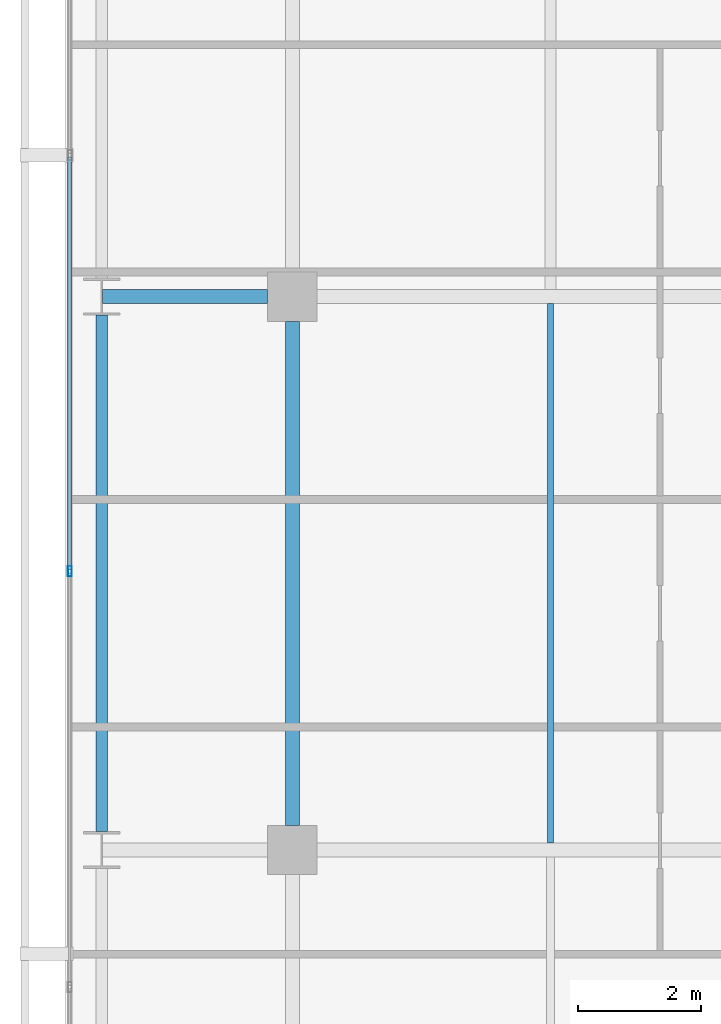
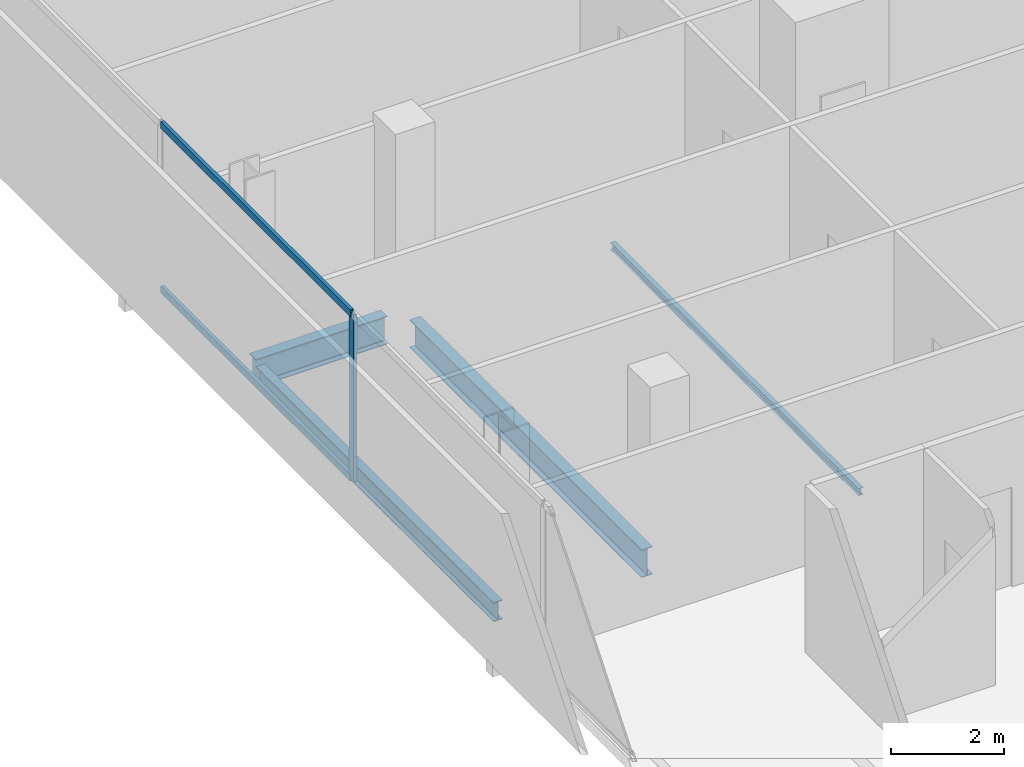
# One storey, part 8 of 34: 4 beams, 3 members, 1 element without a shape of its own.
"""IFC4 building model written with IfcOpenShell, lengths in metres."""

from ifc_helpers import new_model, si_unit, direction, frame, origin, origin_2d, place, context, subcontext, project, spatial, hollow_rectangle, i_section, extrude, material, layer, layer_set, material_profile, profile_set, type_object, element, aggregate, save


model = new_model("IFC4")

# Units and contexts
model_context = context("Model", 3, precision=1e-05, world=origin(), true_north=direction((0.0, 1.0)))
body_context = subcontext(model_context, "Body", "Model", "MODEL_VIEW")
ifc_project = project(units=[si_unit("LENGTHUNIT", "METRE"), si_unit("AREAUNIT", "SQUARE_METRE"), si_unit("VOLUMEUNIT", "CUBIC_METRE"), si_unit("PLANEANGLEUNIT", "RADIAN"), si_unit("MASSUNIT", "GRAM", prefix="KILO")], contexts=[model_context])

# Site, building, storey
site_placement = place(None, origin())
site = spatial("IfcSite", under=ifc_project, at=site_placement, CompositionType="ELEMENT")
building_placement = place(site_placement, origin())
building = spatial("IfcBuilding", under=site, at=building_placement, Name="Maruvema Waterfront Hotel and Observation Tower", CompositionType="ELEMENT")
storey_placement = place(building_placement, frame((0.0, 0.0, 192.85009765625)))
storey = spatial("IfcBuildingStorey", under=building, at=storey_placement, Name="L47", CompositionType="ELEMENT", Elevation=192.85009765625)

# Curtain wall, members
ifc_material_1 = material(Name="Anodised bronze aluminium and solar-control low-E IGU", Category="aluminium")
ifc_layer = layer(ifc_material_1, 0.159912109375, Name="Zone 2 Amber Inner Thermal Curtain Wall System CW-03")
ifc_layer_set = layer_set([ifc_layer], Name="Anodised bronze aluminium and solar-control low-E IGU")
curtain_wall_type = type_object("IfcCurtainWallType", Name="Zone 2 Amber Inner Thermal Curtain Wall System CW-03", PredefinedType="USERDEFINED", material=ifc_layer_set)
curtain_wall_placement = place(storey_placement, origin())
curtain_wall = element("IfcCurtainWall", 1, at=curtain_wall_placement, inside=storey, type_object=curtain_wall_type, Name="L47 Curtain Wall CW-L47-W", ObjectType="UNITISED CURTAIN WALL", PredefinedType="USERDEFINED")
ifc_material_2 = material(Name="Anodised architectural bronze aluminium", Category="aluminium")
ifc_material_profile_1 = material_profile(ifc_material_2, hollow_rectangle(XDim=0.070068359375, YDim=0.14990234375, WallThickness=0.00390625, at=origin_2d()), Name="ALU-T70x150")
ifc_profile_set_1 = profile_set([ifc_material_profile_1], Name="Anodised architectural bronze aluminium")
member_type_1 = type_object("IfcMemberType", Name="Curtain Wall Horizontal Transom ALU-T70x150", PredefinedType="USERDEFINED", material=ifc_profile_set_1)
member_1_placement = place(storey_placement, frame((13.179931640625, 29.27001953125, 0.02978515625), z_axis=(0.0, -1.0, 0.0), x_axis=(1.0, 0.0, 0.0)))
member_1 = element("IfcMember", 2, at=member_1_placement, type_object=member_type_1, Name="CW-03 transom 4.1", ObjectType="TRANSOM", PredefinedType="USERDEFINED", context=body_context, shape_type="SweptSolid", body=[
    extrude(hollow_rectangle(XDim=0.070068359375, YDim=0.14990234375, WallThickness=0.00390625, at=origin_2d()), origin(), (0.0, 0.0, 1.0), 6.706787109375),
])
member_2_placement = place(storey_placement, frame((13.179931640625, 29.27001953125, 3.579833984375), z_axis=(0.0, -1.0, 0.0), x_axis=(1.0, 0.0, 0.0)))
member_2 = element("IfcMember", 3, at=member_2_placement, type_object=member_type_1, Name="CW-03 transom 4.2", ObjectType="TRANSOM", PredefinedType="USERDEFINED", context=body_context, shape_type="SweptSolid", body=[
    extrude(hollow_rectangle(XDim=0.070068359375, YDim=0.14990234375, WallThickness=0.00390625, at=origin_2d()), origin(), (0.0, 0.0, 1.0), 6.706787109375),
])
ifc_material_3 = material(Name="Anodised architectural bronze aluminium", Category="aluminium")
ifc_material_profile_2 = material_profile(ifc_material_3, hollow_rectangle(XDim=0.06494140625, YDim=0.1650390625, WallThickness=0.00390625, at=origin_2d()), Name="ALU-M65x165")
ifc_profile_set_2 = profile_set([ifc_material_profile_2], Name="Anodised architectural bronze aluminium")
member_type_2 = type_object("IfcMemberType", Name="Curtain Wall Primary Mullion ALU-M65x165", PredefinedType="MULLION", material=ifc_profile_set_2)
member_3_placement = place(storey_placement, frame((13.179931640625, 22.533447265625, 0.0), z_axis=(0.0, 0.0, 1.0), x_axis=(1.0, 0.0, 0.0)))
member_3 = element("IfcMember", 4, at=member_3_placement, type_object=member_type_2, Name="CW-03 mullion 5", PredefinedType="MULLION", context=body_context, shape_type="SweptSolid", body=[
    extrude(hollow_rectangle(XDim=0.06494140625, YDim=0.1650390625, WallThickness=0.00390625, at=origin_2d()), origin(), (0.0, 0.0, 1.0), 3.60986328125),
])
aggregate(curtain_wall, [member_3, member_1, member_2])

# Beams
ifc_material_4 = material(Name="Steel ASTM A572 Grade 50", Category="steel")
ifc_material_profile_3 = material_profile(ifc_material_4, i_section(OverallWidth=0.180908203125, OverallDepth=0.4169921875, WebThickness=0.010986328125, FlangeThickness=0.018310546875, FilletRadius=0.014892578125, at=origin_2d()), Name="W410x85.0")
ifc_profile_set_3 = profile_set([ifc_material_profile_3], Name="Steel ASTM A572 Grade 50")
beam_type_1 = type_object("IfcBeamType", Name="Perimeter Spandrel Beam W410x85.0", PredefinedType="SPANDREL", material=ifc_profile_set_3)
beam_1_placement = place(storey_placement, frame((13.699951171875, 18.300048828125, -0.448486328125), z_axis=(0.0, 1.0, 0.0), x_axis=(-1.0, 0.0, 0.0)))
element("IfcBeam", 5, at=beam_1_placement, inside=storey, type_object=beam_type_1, Name="L47 Floor Girder NS-02", PredefinedType="SPANDREL", context=body_context, shape_type="SweptSolid", body=[
    extrude(i_section(OverallWidth=0.180908203125, OverallDepth=0.4169921875, WebThickness=0.010986328125, FlangeThickness=0.018310546875, FilletRadius=0.014892578125, at=origin_2d()), origin(), (0.0, 0.0, 1.0), 8.39990234375),
])
ifc_material_5 = material(Name="Steel ASTM A572 Grade 50", Category="steel")
ifc_material_profile_4 = material_profile(ifc_material_5, i_section(OverallWidth=0.22802734375, OverallDepth=0.60302734375, WebThickness=0.010498046875, FlangeThickness=0.014892578125, FilletRadius=0.01806640625, at=origin_2d()), Name="W610x101.0")
ifc_profile_set_4 = profile_set([ifc_material_profile_4], Name="Steel ASTM A572 Grade 50")
beam_type_2 = type_object("IfcBeamType", Name="Primary Floor Girder W610x101.0", PredefinedType="BEAM", material=ifc_profile_set_4)
beam_2_placement = place(storey_placement, frame((13.71240234375, 27.0, -0.54150390625), z_axis=(1.0, 0.0, 0.0), x_axis=(0.0, 1.0, 0.0)))
element("IfcBeam", 6, at=beam_2_placement, inside=storey, type_object=beam_type_2, Name="L47 Floor Girder EW-18", PredefinedType="BEAM", context=body_context, shape_type="SweptSolid", body=[
    extrude(i_section(OverallWidth=0.22802734375, OverallDepth=0.60302734375, WebThickness=0.010498046875, FlangeThickness=0.014892578125, FilletRadius=0.01806640625, at=origin_2d()), origin(), (0.0, 0.0, 1.0), 2.6875),
])
beam_3_placement = place(storey_placement, frame((16.800048828125, 18.39990234375, -0.54150390625), z_axis=(0.0, 1.0, 0.0), x_axis=(-1.0, 0.0, 0.0)))
element("IfcBeam", 7, at=beam_3_placement, inside=storey, type_object=beam_type_2, Name="L47 Floor Girder NS-06", PredefinedType="BEAM", context=body_context, shape_type="SweptSolid", body=[
    extrude(i_section(OverallWidth=0.22802734375, OverallDepth=0.60302734375, WebThickness=0.010498046875, FlangeThickness=0.014892578125, FilletRadius=0.01806640625, at=origin_2d()), origin(), (0.0, 0.0, 1.0), 8.2001953125),
])
ifc_material_6 = material(Name="Steel ASTM A572 Grade 50", Category="steel")
ifc_material_profile_5 = material_profile(ifc_material_6, i_section(OverallWidth=0.10009765625, OverallDepth=0.153076171875, WebThickness=0.005859375, FlangeThickness=0.007080078125, FilletRadius=0.008056640625, at=origin_2d()), Name="W150x18.0")
ifc_profile_set_5 = profile_set([ifc_material_profile_5], Name="Steel ASTM A572 Grade 50")
beam_type_3 = type_object("IfcBeamType", Name="Secondary Floor Joist W150x18.0", PredefinedType="JOIST", material=ifc_profile_set_5)
beam_4_placement = place(storey_placement, frame((21.0, 18.114013671875, -0.316650390625), z_axis=(0.0, 1.0, 0.0), x_axis=(-1.0, 0.0, 0.0)))
element("IfcBeam", 8, at=beam_4_placement, inside=storey, type_object=beam_type_3, Name="L47 Secondary Floor Joist JS-02", PredefinedType="JOIST", context=body_context, shape_type="SweptSolid", body=[
    extrude(i_section(OverallWidth=0.10009765625, OverallDepth=0.153076171875, WebThickness=0.005859375, FlangeThickness=0.007080078125, FilletRadius=0.008056640625, at=origin_2d()), origin(), (0.0, 0.0, 1.0), 8.77197265625),
])

save(model, "model.ifc")
